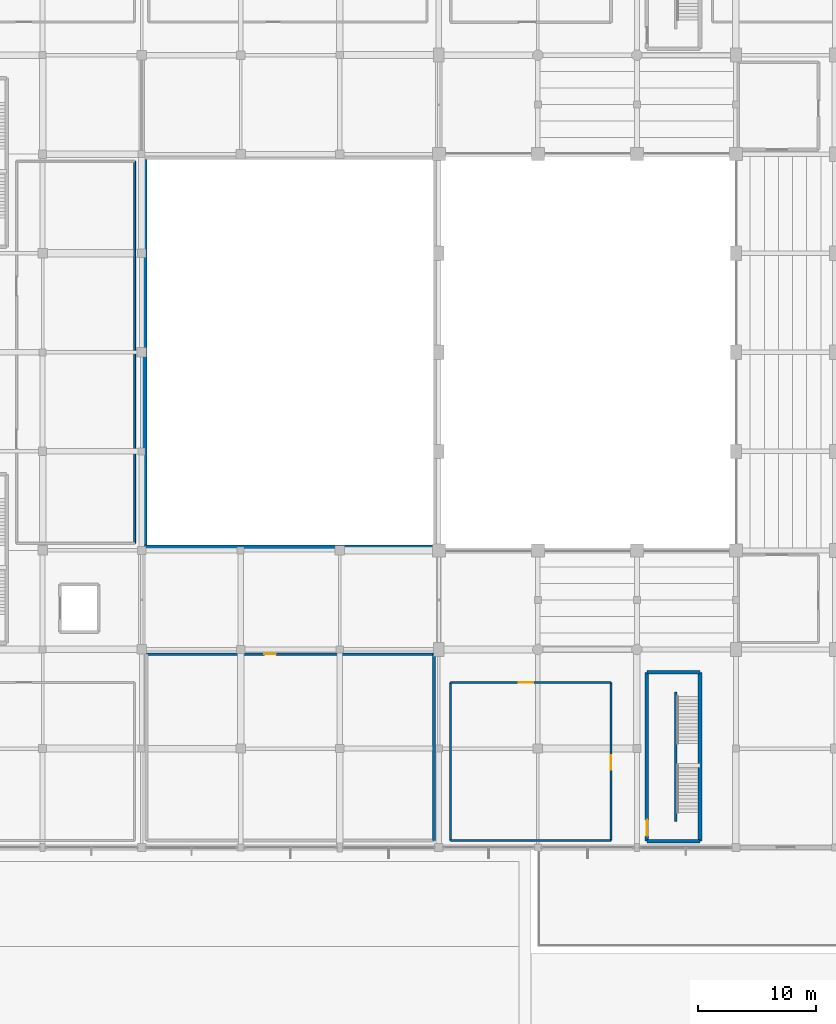
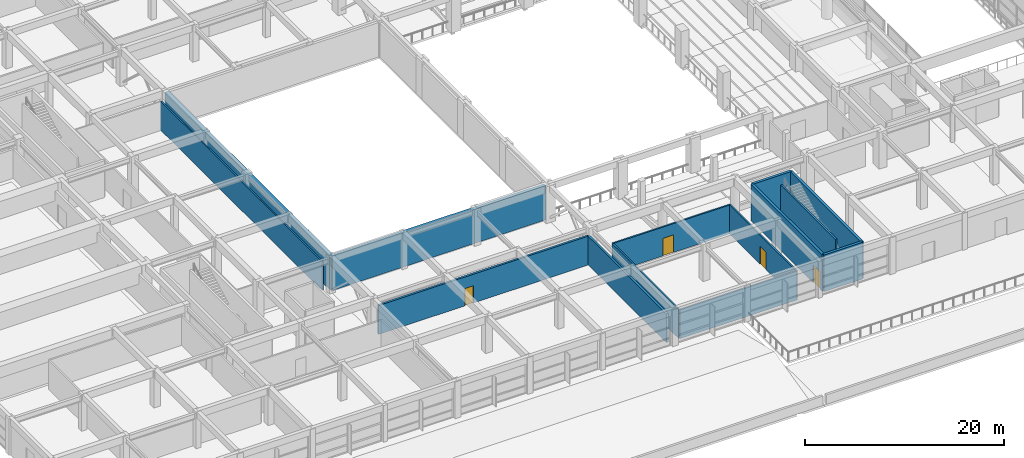
# One storey, part 44 of 60: 14 walls, 4 doors, 4 openings.
"""IFC4 building model written with IfcOpenShell, lengths in metres."""

import ifcopenshell
import ifcopenshell.guid

model = None  # the IFC model being written
_history = None  # IfcOwnerHistory: only IFC2X3 demands one
_inside = {}  # id of a spatial element -> (the spatial element, [elements in it])
_under = {}  # id of a project, library or spatial element -> (it, [spatial elements below it])
_declared = {}  # id of a project -> (the project, [libraries it declares])
_typed = {}  # id of a type object -> (the type object, [elements of that type])
_made_of = {}  # id of a material, layer set ... -> (it, [elements and type objects made of it])


def new_model(schema):
    """Start an empty IFC model of exactly this schema.

    Asked for "IFC4X3", IfcOpenShell would pick the latest addendum, in which some entities
    have other attributes; the version numbers below select the first issue.
    IFC2X3 requires an IfcOwnerHistory on every rooted entity: one is made here for all.
    """
    global model, _history
    if schema == "IFC4X3":
        model = ifcopenshell.file(schema_version=(4, 3, 0, 0))
    else:
        model = ifcopenshell.file(schema=schema)
    _inside.clear()
    _under.clear()
    _declared.clear()
    _typed.clear()
    _made_of.clear()
    _history = None
    if model.schema == "IFC2X3":
        org = make("IfcOrganization", Name="unknown")
        user = make(
            "IfcPersonAndOrganization",
            ThePerson=make("IfcPerson", FamilyName="unknown"),
            TheOrganization=org,
        )
        app = make(
            "IfcApplication",
            ApplicationDeveloper=org,
            Version="unknown",
            ApplicationFullName="unknown",
            ApplicationIdentifier="unknown",
        )
        _history = make(
            "IfcOwnerHistory",
            OwningUser=user,
            OwningApplication=app,
            ChangeAction="ADDED",
            CreationDate=0,
        )
    return model


def make(cls, **values):
    """One entity of the class cls with the attributes given. An attribute that is None is left unset."""
    return model.create_entity(
        cls, **{name: value for name, value in values.items() if value is not None}
    )


def rooted(cls, **values):
    """An entity with a GlobalId (a new one), such as an element, a storey or a relation."""
    return make(cls, GlobalId=ifcopenshell.guid.new(), OwnerHistory=_history, **values)


def si_unit(unit_type, name, prefix=None):
    """IfcSIUnit, for example si_unit("LENGTHUNIT", "METRE", prefix="MILLI")."""
    return make("IfcSIUnit", UnitType=unit_type, Prefix=prefix, Name=name)


def assignment(units):
    """IfcUnitAssignment: the units of a project."""
    return None if units is None else make("IfcUnitAssignment", Units=units)


def point(xyz):
    """IfcCartesianPoint."""
    return None if xyz is None else make("IfcCartesianPoint", Coordinates=xyz)


def direction(xyz):
    """IfcDirection."""
    return None if xyz is None else make("IfcDirection", DirectionRatios=xyz)


def frame(location, z_axis=None, x_axis=None):
    """IfcAxis2Placement3D, a coordinate frame: its origin and axes. An axis left out is left unset."""
    return make(
        "IfcAxis2Placement3D",
        Location=point(location),
        Axis=direction(z_axis),
        RefDirection=direction(x_axis),
    )


def frame_2d(location, x_axis=None):
    """IfcAxis2Placement2D, a coordinate frame in the plane: its origin and x axis."""
    return make(
        "IfcAxis2Placement2D", Location=point(location), RefDirection=direction(x_axis)
    )


def origin():
    """The frame at (0, 0, 0) with its axes left unset."""
    return frame((0.0, 0.0, 0.0))


def place(relative_to, where):
    """IfcLocalPlacement: puts the frame where relative to a parent placement (None: the world)."""
    return make(
        "IfcLocalPlacement", PlacementRelTo=relative_to, RelativePlacement=where
    )


def context(
    kind, dimensions, precision=None, world=None, true_north=None, identifier=None
):
    """IfcGeometricRepresentationContext, for example the 3D "Model" context."""
    return make(
        "IfcGeometricRepresentationContext",
        ContextIdentifier=identifier,
        ContextType=kind,
        CoordinateSpaceDimension=dimensions,
        Precision=precision,
        WorldCoordinateSystem=world,
        TrueNorth=true_north,
    )


def subcontext(parent, identifier, kind, view, scale=None):
    """IfcGeometricRepresentationSubContext, for example "Body" below "Model"."""
    return make(
        "IfcGeometricRepresentationSubContext",
        ContextIdentifier=identifier,
        ContextType=kind,
        ParentContext=parent,
        TargetScale=scale,
        TargetView=view,
    )


def project(units=None, contexts=None):
    """IfcProject with its units and contexts."""
    return rooted(
        "IfcProject",
        Name="project",
        RepresentationContexts=contexts,
        UnitsInContext=assignment(units),
    )


def spatial(cls, under=None, at=None, **own):
    """A site, building, storey or space (cls), placed at a placement, below another one or the project."""
    s = rooted(cls, ObjectPlacement=at, **own)
    if under is not None:
        _under.setdefault(under.id(), (under, []))[1].append(s)
    return s


def profile(cls, at=None, kind="AREA", **sizes):
    """A parametric profile (cls). Its sizes go by their IFC names, for example OverallWidth=200.0."""
    return make(cls, ProfileType=kind, Position=at, **sizes)


def rectangle(**sizes):
    """IfcRectangleProfileDef."""
    return profile("IfcRectangleProfileDef", **sizes)


def extrude(swept, where, along, depth):
    """IfcExtrudedAreaSolid: the profile swept, set in the frame where, extruded along a direction by depth."""
    return make(
        "IfcExtrudedAreaSolid",
        SweptArea=swept,
        Position=where,
        ExtrudedDirection=direction(along),
        Depth=depth,
    )


def shape(context_of_items, identifier, shape_type, items):
    """IfcShapeRepresentation: the items that make up one representation, for example the "Body"."""
    return make(
        "IfcShapeRepresentation",
        ContextOfItems=context_of_items,
        RepresentationIdentifier=identifier,
        RepresentationType=shape_type,
        Items=items,
    )


def material(Name=None, Category=None):
    """IfcMaterial."""
    return make("IfcMaterial", Name=Name, Category=Category)


def layer(
    of_material, thickness, ventilated=None, Name=None, Category=None, Priority=None
):
    """IfcMaterialLayer: one layer of a wall or slab, of a material (None: an air gap)."""
    return make(
        "IfcMaterialLayer",
        Material=of_material,
        LayerThickness=thickness,
        IsVentilated=ventilated,
        Name=Name,
        Category=Category,
        Priority=Priority,
    )


def layer_set(layers, Name=None):
    """IfcMaterialLayerSet."""
    return make("IfcMaterialLayerSet", MaterialLayers=layers, LayerSetName=Name)


def made_of(thing, what):
    """Note that an element or type object is made of a material, layer set ...; save() writes the relation."""
    if what is not None:
        _made_of.setdefault(what.id(), (what, []))[1].append(thing)
    return thing


def type_object(cls, material=None, **own):
    """A type object (cls), such as IfcWallType, which elements share."""
    return made_of(rooted(cls, **own), material)


def element(
    cls,
    number,
    at=None,
    inside=None,
    cuts=None,
    type_object=None,
    material=None,
    context=None,
    identifier="Body",
    shape_type=None,
    held_by="IfcProductDefinitionShape",
    body=None,
    shapes=None,
    **own,
):
    """One element of the class cls, such as IfcWall. Its Tag is "e" and its number.

    at: its placement. inside: the storey or other place that contains it. cuts: it is an
    opening in that element (IfcRelVoidsElement). A single representation is given by context,
    identifier, shape_type and body (its items); several are given by shapes. held_by: the class
    of the entity that holds the representations. save() writes the other relations.
    """
    e = rooted(cls, Tag="e%d" % number, ObjectPlacement=at, **own)
    if body is not None:
        shapes = [shape(context, identifier, shape_type, body)]
    if shapes is not None:
        e.Representation = make(held_by, Representations=shapes)
    if inside is not None:
        _inside.setdefault(inside.id(), (inside, []))[1].append(e)
    if cuts is not None:
        rooted(
            "IfcRelVoidsElement", RelatingBuildingElement=cuts, RelatedOpeningElement=e
        )
    if type_object is not None:
        _typed.setdefault(type_object.id(), (type_object, []))[1].append(e)
    return made_of(e, material)


def fill(opening, filler):
    """IfcRelFillsElement: the door or window that sits in an opening."""
    return rooted(
        "IfcRelFillsElement",
        RelatingOpeningElement=opening,
        RelatedBuildingElement=filler,
    )


def aggregate(whole, parts):
    """IfcRelAggregates: a whole, such as a stair, and the parts it consists of."""
    return rooted("IfcRelAggregates", RelatingObject=whole, RelatedObjects=parts)


def save(model, path):
    """Write the relations noted so far, then the file.

    IfcRelAggregates (storeys below a building ...), IfcRelContainedInSpatialStructure (elements
    in a storey), IfcRelDefinesByType, IfcRelAssociatesMaterial and IfcRelDeclares: one each for
    every whole, place, type object, material and project.
    """
    for whole, parts in _under.values():
        aggregate(whole, parts)
    for where, things in _inside.values():
        rooted(
            "IfcRelContainedInSpatialStructure",
            RelatedElements=things,
            RelatingStructure=where,
        )
    for kind, things in _typed.values():
        rooted("IfcRelDefinesByType", RelatedObjects=things, RelatingType=kind)
    for what, things in _made_of.values():
        rooted("IfcRelAssociatesMaterial", RelatedObjects=things, RelatingMaterial=what)
    for by, libraries in _declared.values():
        rooted("IfcRelDeclares", RelatingContext=by, RelatedDefinitions=libraries)
    model.write(path)


model = new_model("IFC4")

# Units and contexts
model_context = context("Model", 3, precision=1e-05, world=origin(), true_north=direction((0.0, 1.0)))
body_context = subcontext(model_context, "Body", "Model", "MODEL_VIEW")
ifc_project = project(units=[si_unit("LENGTHUNIT", "METRE"), si_unit("AREAUNIT", "SQUARE_METRE"), si_unit("VOLUMEUNIT", "CUBIC_METRE"), si_unit("PLANEANGLEUNIT", "RADIAN"), si_unit("MASSUNIT", "GRAM", prefix="KILO")], contexts=[model_context])

# Site, building, storey
site_placement = place(None, origin())
site = spatial("IfcSite", under=ifc_project, at=site_placement, CompositionType="ELEMENT")
building_placement = place(site_placement, origin())
building = spatial("IfcBuilding", under=site, at=building_placement, Name="Xuanlan Plaza Opera House", CompositionType="ELEMENT")
storey_placement = place(building_placement, frame((0.0, 0.0, 9.89990234375)))
storey = spatial("IfcBuildingStorey", under=building, at=storey_placement, Name="L02", CompositionType="ELEMENT", Elevation=9.89990234375)

# Wall, opening, door
ifc_material_1 = material(Name="Gypsum Board and Galvanised Steel Studs", Category="gypsum")
ifc_layer_1 = layer(ifc_material_1, 0.239990234375)
ifc_layer_set_1 = layer_set([ifc_layer_1], Name="Gypsum Board and Galvanised Steel Studs")
wall_type_1 = type_object("IfcWallType", Name="INT-WL-PW-01", PredefinedType="PARTITIONING", material=ifc_layer_set_1)
wall_1_placement = place(storey_placement, frame((42.39990234375, 33.199951171875, 0.0), z_axis=(0.0, 0.0, 1.0), x_axis=(1.0, 0.0, 0.0)))
wall_1 = element("IfcWall", 1, at=wall_1_placement, inside=storey, type_object=wall_type_1, Name="Broadcast and Acoustic Recording Studio Wall North", PredefinedType="PARTITIONING", context=body_context, shape_type="SweptSolid", body=[
    extrude(rectangle(XDim=24.400146484375, YDim=0.239990234375, at=frame_2d((12.2001953125, 0.0))), origin(), (0.0, 0.0, 1.0), 3.5400390625),
])
opening_1_placement = place(wall_1_placement, frame((10.0, 0.0, 0.0)))
opening_1 = element("IfcOpeningElement", 2, at=opening_1_placement, cuts=wall_1, Name="Opening D-09", PredefinedType="OPENING", context=body_context, shape_type="SweptSolid", body=[
    extrude(rectangle(XDim=0.97998046875, YDim=2.1201171875, at=frame_2d((0.489990234375, 1.06005859375))), frame((0.0, 0.1298828125, 0.0), z_axis=(0.0, -1.0, 0.0), x_axis=(1.0, 0.0, 0.0)), (0.0, 0.0, 1.0), 0.260009765625),
])
ifc_material_2 = material(Name="Walnut Hardwood Timber", Category="wood")
door_type_1 = type_object("IfcDoorType", Name="INT-DR-D-09", OperationType="NOTDEFINED", PredefinedType="DOOR", material=ifc_material_2)
door_1_placement = place(opening_1_placement, origin())
door_1 = element("IfcDoor", 3, at=door_1_placement, inside=storey, type_object=door_type_1, Name="Broadcast and Acoustic Recording Studio Door 1", OperationType="SINGLE_SWING_RIGHT", OverallHeight=2.1201171875, OverallWidth=0.97998046875, PredefinedType="DOOR", context=body_context, shape_type="SweptSolid", body=[
    extrude(rectangle(XDim=0.97998046875, YDim=2.1201171875, at=frame_2d((0.489990234375, 1.06005859375))), frame((0.0, 0.02490234375, 0.0), z_axis=(0.0, -1.0, 0.0), x_axis=(1.0, 0.0, 0.0)), (0.0, 0.0, 1.0), 0.050048828125),
])
fill(opening_1, door_1)

# Walls
wall_2_placement = place(storey_placement, frame((66.800048828125, 17.39990234375, 0.0), z_axis=(0.0, 0.0, 1.0), x_axis=(0.0, 1.0, 0.0)))
element("IfcWall", 4, at=wall_2_placement, inside=storey, type_object=wall_type_1, Name="Broadcast and Acoustic Recording Studio Wall East", PredefinedType="PARTITIONING", context=body_context, shape_type="SweptSolid", body=[
    extrude(rectangle(XDim=15.800048828125, YDim=0.239990234375, at=frame_2d((7.89990234375, 0.0))), origin(), (0.0, 0.0, 1.0), 3.5400390625),
])
ifc_layer_2 = layer(ifc_material_1, 0.179931640625)
ifc_layer_set_2 = layer_set([ifc_layer_2], Name="Gypsum Board and Galvanised Steel Studs")
wall_type_2 = type_object("IfcWallType", Name="INT-WL-PW-02", PredefinedType="PARTITIONING", material=ifc_layer_set_2)
wall_3_placement = place(storey_placement, frame((68.199951171875, 17.39990234375, 0.0), z_axis=(0.0, 0.0, 1.0), x_axis=(1.0, 0.0, 0.0)))
element("IfcWall", 5, at=wall_3_placement, inside=storey, type_object=wall_type_2, Name="Sound Mixing and Foley Studio Wall South", PredefinedType="PARTITIONING", context=body_context, shape_type="SweptSolid", body=[
    extrude(rectangle(XDim=13.60009765625, YDim=0.179931640625, at=frame_2d((6.800048828125, 0.0))), origin(), (0.0, 0.0, 1.0), 3.5400390625),
])

# Wall, opening, door
wall_4_placement = place(storey_placement, frame((68.199951171875, 30.800048828125, 0.0), z_axis=(0.0, 0.0, 1.0), x_axis=(1.0, 0.0, 0.0)))
wall_4 = element("IfcWall", 6, at=wall_4_placement, inside=storey, type_object=wall_type_2, Name="Sound Mixing and Foley Studio Wall North", PredefinedType="PARTITIONING", context=body_context, shape_type="SweptSolid", body=[
    extrude(rectangle(XDim=13.60009765625, YDim=0.179931640625, at=frame_2d((6.800048828125, 0.0))), origin(), (0.0, 0.0, 1.0), 3.5400390625),
])
opening_2_placement = place(wall_4_placement, frame((5.800048828125, 0.0, 0.0)))
opening_2 = element("IfcOpeningElement", 7, at=opening_2_placement, cuts=wall_4, Name="Opening D-05", PredefinedType="OPENING", context=body_context, shape_type="SweptSolid", body=[
    extrude(rectangle(XDim=1.219970703125, YDim=2.14990234375, at=frame_2d((0.60986328125, 1.074951171875))), frame((0.0, 0.099853515625, 0.0), z_axis=(0.0, -1.0, 0.0), x_axis=(1.0, 0.0, 0.0)), (0.0, 0.0, 1.0), 0.199951171875),
])
door_type_2 = type_object("IfcDoorType", Name="INT-DR-D-05", OperationType="NOTDEFINED", PredefinedType="DOOR", material=ifc_material_2)
door_2_placement = place(opening_2_placement, origin())
door_2 = element("IfcDoor", 8, at=door_2_placement, inside=storey, type_object=door_type_2, Name="Sound Mixing and Foley Studio Door 1", OperationType="SINGLE_SWING_RIGHT", OverallHeight=2.14990234375, OverallWidth=1.219970703125, PredefinedType="DOOR", context=body_context, shape_type="SweptSolid", body=[
    extrude(rectangle(XDim=1.219970703125, YDim=2.14990234375, at=frame_2d((0.60986328125, 1.074951171875))), frame((0.0, 0.02490234375, 0.0), z_axis=(0.0, -1.0, 0.0), x_axis=(1.0, 0.0, 0.0)), (0.0, 0.0, 1.0), 0.050048828125),
])
fill(opening_2, door_2)

# Wall
wall_5_placement = place(storey_placement, frame((68.199951171875, 17.39990234375, 0.0), z_axis=(0.0, 0.0, 1.0), x_axis=(0.0, 1.0, 0.0)))
element("IfcWall", 9, at=wall_5_placement, inside=storey, type_object=wall_type_2, Name="Sound Mixing and Foley Studio Wall West", PredefinedType="PARTITIONING", context=body_context, shape_type="SweptSolid", body=[
    extrude(rectangle(XDim=13.400146484375, YDim=0.179931640625, at=frame_2d((6.7001953125, 0.0))), origin(), (0.0, 0.0, 1.0), 3.5400390625),
])

# Wall, opening, door
wall_6_placement = place(storey_placement, frame((81.800048828125, 17.39990234375, 0.0), z_axis=(0.0, 0.0, 1.0), x_axis=(0.0, 1.0, 0.0)))
wall_6 = element("IfcWall", 10, at=wall_6_placement, inside=storey, type_object=wall_type_2, Name="Sound Mixing and Foley Studio Wall East", PredefinedType="PARTITIONING", context=body_context, shape_type="SweptSolid", body=[
    extrude(rectangle(XDim=13.400146484375, YDim=0.179931640625, at=frame_2d((6.7001953125, 0.0))), origin(), (0.0, 0.0, 1.0), 3.5400390625),
])
opening_3_placement = place(wall_6_placement, frame((6.0, 0.0, 0.0)))
opening_3 = element("IfcOpeningElement", 11, at=opening_3_placement, cuts=wall_6, Name="Opening D-05", PredefinedType="OPENING", context=body_context, shape_type="SweptSolid", body=[
    extrude(rectangle(XDim=1.219970703125, YDim=2.14990234375, at=frame_2d((0.60986328125, 1.074951171875))), frame((0.0, 0.099853515625, 0.0), z_axis=(0.0, -1.0, 0.0), x_axis=(1.0, 0.0, 0.0)), (0.0, 0.0, 1.0), 0.199951171875),
])
door_3_placement = place(opening_3_placement, origin())
door_3 = element("IfcDoor", 12, at=door_3_placement, inside=storey, type_object=door_type_2, Name="Sound Mixing and Foley Studio Door 1", OperationType="SINGLE_SWING_RIGHT", OverallHeight=2.14990234375, OverallWidth=1.219970703125, PredefinedType="DOOR", context=body_context, shape_type="SweptSolid", body=[
    extrude(rectangle(XDim=1.219970703125, YDim=2.14990234375, at=frame_2d((0.60986328125, 1.074951171875))), frame((0.0, 0.02490234375, 0.0), z_axis=(0.0, -1.0, 0.0), x_axis=(1.0, 0.0, 0.0)), (0.0, 0.0, 1.0), 0.050048828125),
])
fill(opening_3, door_3)

# Walls
ifc_layer_3 = layer(ifc_material_1, 0.159912109375)
ifc_layer_set_3 = layer_set([ifc_layer_3], Name="Gypsum Board and Galvanised Steel Studs")
wall_type_3 = type_object("IfcWallType", Name="INT-WL-PW-05", PredefinedType="PARTITIONING", material=ifc_layer_set_3)
wall_7_placement = place(storey_placement, frame((41.39990234375, 42.60009765625, 0.0), z_axis=(0.0, 0.0, 1.0), x_axis=(0.0, 1.0, 0.0)))
element("IfcWall", 13, at=wall_7_placement, inside=storey, type_object=wall_type_3, Name="Stage Scenery Cloth Store Wall East", PredefinedType="PARTITIONING", context=body_context, shape_type="SweptSolid", body=[
    extrude(rectangle(XDim=32.39990234375, YDim=0.159912109375, at=frame_2d((16.199951171875, 0.0))), origin(), (0.0, 0.0, 1.0), 3.5400390625),
])
ifc_material_3 = material(Name="Concrete C50", Category="concrete")
ifc_layer_4 = layer(ifc_material_3, 0.3798828125)
ifc_layer_set_4 = layer_set([ifc_layer_4], Name="Concrete C50")
wall_type_4 = type_object("IfcWallType", Name="INT-WL-SW-FW1", PredefinedType="SHEAR", material=ifc_layer_set_4)
wall_8_placement = place(storey_placement, frame((42.25, 42.25, 0.0), z_axis=(0.0, 0.0, 1.0), x_axis=(0.0, 1.0, 0.0)))
element("IfcWall", 14, at=wall_8_placement, inside=storey, type_object=wall_type_4, Name="Proscenium and Fly Shaft Wall L02-W", PredefinedType="SHEAR", context=body_context, shape_type="SweptSolid", body=[
    extrude(rectangle(XDim=33.10009765625, YDim=0.3798828125, at=frame_2d((16.550048828125, 0.0))), origin(), (0.0, 0.0, 1.0), 4.2001953125),
])
wall_9_placement = place(storey_placement, frame((42.25, 42.25, 0.0), z_axis=(0.0, 0.0, 1.0), x_axis=(1.0, 0.0, 0.0)))
element("IfcWall", 15, at=wall_9_placement, inside=storey, type_object=wall_type_4, Name="Proscenium and Fly Shaft Wall L02-S", PredefinedType="SHEAR", context=body_context, shape_type="SweptSolid", body=[
    extrude(rectangle(XDim=24.699951171875, YDim=0.3798828125, at=frame_2d((12.35009765625, 0.0))), origin(), (0.0, 0.0, 1.0), 4.2001953125),
])
ifc_material_4 = material(Name="Concrete C40", Category="concrete")
ifc_layer_5 = layer(ifc_material_4, 0.199951171875)
ifc_layer_set_5 = layer_set([ifc_layer_5], Name="Concrete C40")
wall_type_5 = type_object("IfcWallType", Name="INT-WL-SW-SPN", PredefinedType="SHEAR", material=ifc_layer_set_5)
wall_10_placement = place(storey_placement, frame((87.300048828125, 19.0, 0.0), z_axis=(0.0, 0.0, 1.0), x_axis=(0.0, 1.0, 0.0)))
element("IfcWall", 16, at=wall_10_placement, inside=storey, type_object=wall_type_5, Name="Stair Structural Spine Wall ST-P3 L02", PredefinedType="SHEAR", context=body_context, shape_type="SweptSolid", body=[
    extrude(rectangle(XDim=11.0, YDim=0.199951171875, at=frame_2d((5.5, 0.0))), origin(), (0.0, 0.0, 1.0), 4.5),
])
ifc_layer_6 = layer(ifc_material_4, 0.300048828125)
ifc_layer_set_6 = layer_set([ifc_layer_6], Name="Concrete C40")
wall_type_6 = type_object("IfcWallType", Name="INT-WL-SW-ST1", PredefinedType="SHEAR", material=ifc_layer_set_6)
for number, where, z_axis, x_axis, name in (
    (17, (84.85009765625, 17.35009765625, 0.0), (0.0, 0.0, 1.0), (1.0, 0.0, 0.0), "Stair Core Wall ST-P3 L02 South"),
    (18, (84.85009765625, 31.64990234375, 0.0), (0.0, 0.0, 1.0), (1.0, 0.0, 0.0), "Stair Core Wall ST-P3 L02 North"),
):
    element("IfcWall", number, at=place(storey_placement, frame(where, z_axis=z_axis, x_axis=x_axis)), inside=storey, type_object=wall_type_6, Name=name, PredefinedType="SHEAR", context=body_context, shape_type="SweptSolid", body=[
        extrude(rectangle(XDim=4.5, YDim=0.300048828125, at=frame_2d((2.25, 0.0))), origin(), (0.0, 0.0, 1.0), 4.5),
    ])

# Wall, opening, door
wall_11_placement = place(storey_placement, frame((84.85009765625, 17.35009765625, 0.0), z_axis=(0.0, 0.0, 1.0), x_axis=(0.0, 1.0, 0.0)))
wall_11 = element("IfcWall", 19, at=wall_11_placement, inside=storey, type_object=wall_type_6, Name="Stair Core Wall ST-P3 L02 West", PredefinedType="SHEAR", context=body_context, shape_type="SweptSolid", body=[
    extrude(rectangle(XDim=14.2998046875, YDim=0.300048828125, at=frame_2d((7.14990234375, 0.0))), origin(), (0.0, 0.0, 1.0), 4.5),
])
opening_4_placement = place(wall_11_placement, frame((0.449951171875, 0.0, 0.0)))
opening_4 = element("IfcOpeningElement", 20, at=opening_4_placement, cuts=wall_11, Name="Opening FD-ST2", PredefinedType="OPENING", context=body_context, shape_type="SweptSolid", body=[
    extrude(rectangle(XDim=1.35009765625, YDim=2.14990234375, at=frame_2d((0.675048828125, 1.074951171875))), frame((0.0, 0.159912109375, 0.0), z_axis=(0.0, -1.0, 0.0), x_axis=(1.0, 0.0, 0.0)), (0.0, 0.0, 1.0), 0.320068359375),
])
ifc_material_5 = material(Name="Galvanised Steel Q235B", Category="steel")
door_type_3 = type_object("IfcDoorType", Name="INT-DR-FD-ST2", OperationType="NOTDEFINED", PredefinedType="DOOR", material=ifc_material_5)
door_4_placement = place(opening_4_placement, frame((1.35009765625, 0.0, 0.0), z_axis=(0.0, 0.0, 1.0), x_axis=(-1.0, 0.0, 0.0)))
door_4 = element("IfcDoor", 21, at=door_4_placement, inside=storey, type_object=door_type_3, Name="Stair Enclosure Fire Door ST-P3 L02", OperationType="SINGLE_SWING_LEFT", OverallHeight=2.14990234375, OverallWidth=1.35009765625, PredefinedType="DOOR", context=body_context, shape_type="SweptSolid", body=[
    extrude(rectangle(XDim=1.35009765625, YDim=2.14990234375, at=frame_2d((0.675048828125, 1.074951171875))), frame((0.0, 0.02490234375, 0.0), z_axis=(0.0, -1.0, 0.0), x_axis=(1.0, 0.0, 0.0)), (0.0, 0.0, 1.0), 0.050048828125),
])
fill(opening_4, door_4)

# Wall
wall_12_placement = place(storey_placement, frame((89.35009765625, 17.35009765625, 0.0), z_axis=(0.0, 0.0, 1.0), x_axis=(0.0, 1.0, 0.0)))
element("IfcWall", 22, at=wall_12_placement, inside=storey, type_object=wall_type_6, Name="Stair Core Wall ST-P3 L02 East", PredefinedType="SHEAR", context=body_context, shape_type="SweptSolid", body=[
    extrude(rectangle(XDim=14.2998046875, YDim=0.300048828125, at=frame_2d((7.14990234375, 0.0))), origin(), (0.0, 0.0, 1.0), 4.5),
])

save(model, "model.ifc")
